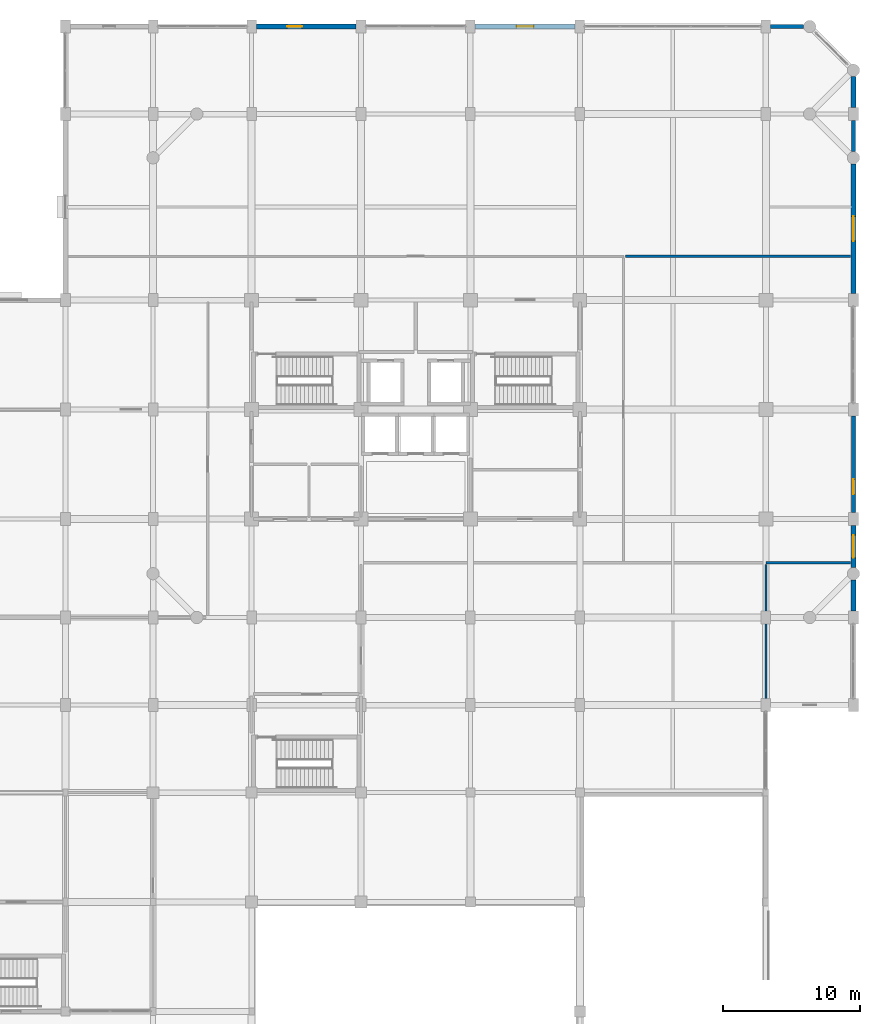
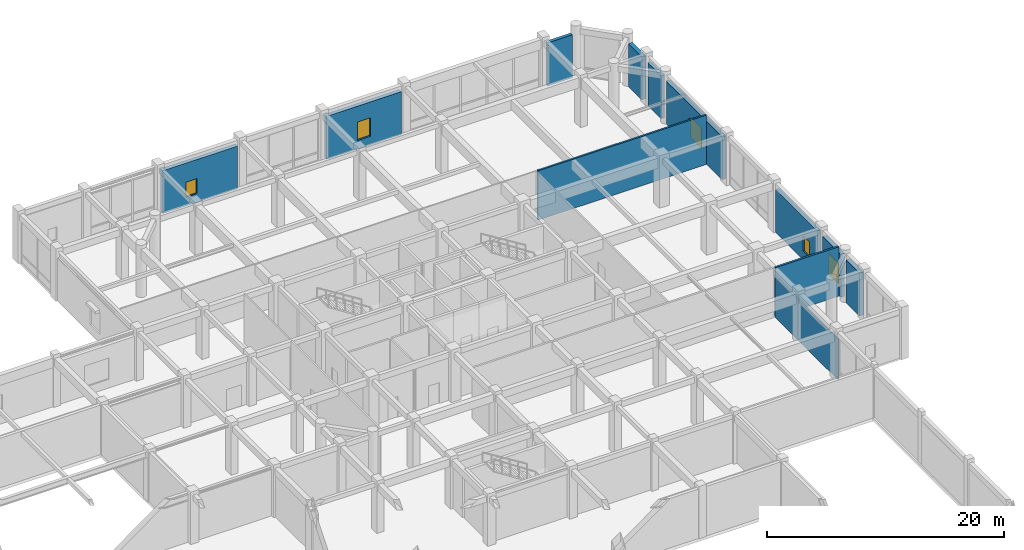
# One storey, part 30 of 36: 12 walls, 5 windows, 5 openings.
"""IFC4 building model written with IfcOpenShell, lengths in metres."""

from ifc_helpers import new_model, si_unit, direction, frame, frame_2d, origin, place, context, subcontext, project, spatial, rectangle, extrude, material, layer, layer_set, type_object, element, fill, save


model = new_model("IFC4")

# Units and contexts
model_context = context("Model", 3, precision=1e-05, world=origin(), true_north=direction((0.0, 1.0)))
body_context = subcontext(model_context, "Body", "Model", "MODEL_VIEW")
ifc_project = project(units=[si_unit("LENGTHUNIT", "METRE"), si_unit("AREAUNIT", "SQUARE_METRE"), si_unit("VOLUMEUNIT", "CUBIC_METRE"), si_unit("PLANEANGLEUNIT", "RADIAN"), si_unit("MASSUNIT", "GRAM", prefix="KILO")], contexts=[model_context])

# Site, building, storey
site_placement = place(None, origin())
site = spatial("IfcSite", under=ifc_project, at=site_placement, CompositionType="ELEMENT")
building_placement = place(site_placement, origin())
building = spatial("IfcBuilding", under=site, at=building_placement, Name="Vellmiral Cinema and Media Centre", CompositionType="ELEMENT")
storey_placement = place(building_placement, frame((0.0, 0.0, 5.39990234375)))
storey = spatial("IfcBuildingStorey", under=building, at=storey_placement, Name="L01", CompositionType="ELEMENT", Elevation=5.39990234375)

# Wall, opening, window
ifc_material_1 = material(Name="Polychrome Glazed Ceramic Cladding", Category="masonry")
ifc_layer_1 = layer(ifc_material_1, 0.320068359375, Name="Polychrome Glazed Ceramic Cladding")
ifc_layer_set_1 = layer_set([ifc_layer_1], Name="Polychrome Glazed Ceramic Cladding")
wall_type_1 = type_object("IfcWallType", Name="WL-EXT-BRICK-320", PredefinedType="SOLIDWALL", material=ifc_layer_set_1)
wall_1_placement = place(storey_placement, frame((168.0, 79.675048828125, 0.0), z_axis=(0.0, 0.0, 1.0), x_axis=(0.0, 1.0, 0.0)))
wall_1 = element("IfcWall", 1, at=wall_1_placement, inside=storey, type_object=wall_type_1, Name="Exterior Facade Wall L01-039", PredefinedType="SOLIDWALL", context=body_context, shape_type="SweptSolid", body=[
    extrude(rectangle(XDim=7.050048828125, YDim=0.320068359375, at=frame_2d((3.52490234375, 0.0))), origin(), (0.0, 0.0, 1.0), 4.440185546875),
])
opening_1_placement = place(wall_1_placement, frame((1.324951171875, 0.0, 0.89990234375)))
opening_1 = element("IfcOpeningElement", 2, at=opening_1_placement, cuts=wall_1, Name="Opening WN-11", PredefinedType="OPENING", context=body_context, shape_type="SweptSolid", body=[
    extrude(rectangle(XDim=1.10009765625, YDim=1.550048828125, at=frame_2d((0.550048828125, 0.77490234375))), frame((0.0, 0.171875, 0.0), z_axis=(0.0, -1.0, 0.0), x_axis=(1.0, 0.0, 0.0)), (0.0, 0.0, 1.0), 0.343994140625),
])
ifc_material_2 = material(Name="Thermally Broken Aluminium Triple Glazing", Category="aluminium")
window_type_1 = type_object("IfcWindowType", Name="WN-1100x1550", PartitioningType="SINGLE_PANEL", PredefinedType="WINDOW", material=ifc_material_2)
window_1_placement = place(opening_1_placement, origin())
window_1 = element("IfcWindow", 3, at=window_1_placement, inside=storey, type_object=window_type_1, Name="Window L01-039", OverallHeight=1.550048828125, OverallWidth=1.10009765625, PartitioningType="SINGLE_PANEL", PredefinedType="WINDOW", context=body_context, shape_type="SweptSolid", body=[
    extrude(rectangle(XDim=1.10009765625, YDim=1.550048828125, at=frame_2d((0.550048828125, 0.77490234375))), frame((0.0, 0.030029296875, 0.0), z_axis=(0.0, -1.0, 0.0), x_axis=(1.0, 0.0, 0.0)), (0.0, 0.0, 1.0), 0.06005859375),
])
fill(opening_1, window_1)

# Walls
wall_2_placement = place(storey_placement, frame((168.0, 106.050048828125, 0.0), z_axis=(0.0, 0.0, 1.0), x_axis=(0.0, 1.0, 0.0)))
element("IfcWall", 4, at=wall_2_placement, inside=storey, type_object=wall_type_1, Name="Exterior Facade Wall L01-042", PredefinedType="SOLIDWALL", context=body_context, shape_type="SweptSolid", body=[
    extrude(rectangle(XDim=2.27490234375, YDim=0.320068359375, at=frame_2d((1.137451171875, 0.0))), origin(), (0.0, 0.0, 1.0), 4.425048828125),
])
wall_3_placement = place(storey_placement, frame((164.35009765625, 115.199951171875, 0.0), z_axis=(0.0, 0.0, 1.0), x_axis=(-1.0, 0.0, 0.0)))
element("IfcWall", 5, at=wall_3_placement, inside=storey, type_object=wall_type_1, Name="Exterior Facade Wall L01-045", PredefinedType="SOLIDWALL", context=body_context, shape_type="SweptSolid", body=[
    extrude(rectangle(XDim=2.400146484375, YDim=0.320068359375, at=frame_2d((1.2001953125, 0.0))), origin(), (0.0, 0.0, 1.0), 4.440185546875),
])
ifc_material_3 = material(Name="Vosges Red Sandstone Masonry", Category="masonry")
ifc_layer_2 = layer(ifc_material_3, 0.3798828125, Name="Vosges Red Sandstone Masonry")
ifc_layer_set_2 = layer_set([ifc_layer_2], Name="Vosges Red Sandstone Masonry")
wall_type_2 = type_object("IfcWallType", Name="WL-EXT-SAND-380", PredefinedType="SOLIDWALL", material=ifc_layer_set_2)
wall_4_placement = place(storey_placement, frame((168.0, 72.47509765625, 0.0), z_axis=(0.0, 0.0, 1.0), x_axis=(0.0, 1.0, 0.0)))
element("IfcWall", 6, at=wall_4_placement, inside=storey, type_object=wall_type_2, Name="Exterior Facade Wall L01-037", PredefinedType="SOLIDWALL", context=body_context, shape_type="SweptSolid", body=[
    extrude(rectangle(XDim=2.27490234375, YDim=0.3798828125, at=frame_2d((1.137451171875, 0.0))), origin(), (0.0, 0.0, 1.0), 4.440185546875),
])

# Wall, opening, window
wall_5_placement = place(storey_placement, frame((168.0, 75.64990234375, 0.0), z_axis=(0.0, 0.0, 1.0), x_axis=(0.0, 1.0, 0.0)))
wall_5 = element("IfcWall", 7, at=wall_5_placement, inside=storey, type_object=wall_type_2, Name="Exterior Facade Wall L01-038", PredefinedType="SOLIDWALL", context=body_context, shape_type="SweptSolid", body=[
    extrude(rectangle(XDim=3.0751953125, YDim=0.3798828125, at=frame_2d((1.53759765625, 0.0))), origin(), (0.0, 0.0, 1.0), 4.440185546875),
])
opening_2_placement = place(wall_5_placement, frame((0.71240234375, 0.0, 0.89990234375)))
opening_2 = element("IfcOpeningElement", 8, at=opening_2_placement, cuts=wall_5, Name="Opening WN-15", PredefinedType="OPENING", context=body_context, shape_type="SweptSolid", body=[
    extrude(rectangle(XDim=1.64990234375, YDim=2.199951171875, at=frame_2d((0.824951171875, 1.10009765625))), frame((0.0, 0.201904296875, 0.0), z_axis=(0.0, -1.0, 0.0), x_axis=(1.0, 0.0, 0.0)), (0.0, 0.0, 1.0), 0.40380859375),
])
ifc_material_4 = material(Name="Thermally Broken Aluminium Triple Glazing", Category="aluminium")
window_type_2 = type_object("IfcWindowType", Name="WN-1650x2200", PartitioningType="TRIPLE_PANEL_HORIZONTAL", PredefinedType="WINDOW", material=ifc_material_4)
window_2_placement = place(opening_2_placement, origin())
window_2 = element("IfcWindow", 9, at=window_2_placement, inside=storey, type_object=window_type_2, Name="Window L01-038", OverallHeight=2.199951171875, OverallWidth=1.64990234375, PartitioningType="TRIPLE_PANEL_HORIZONTAL", PredefinedType="WINDOW", context=body_context, shape_type="SweptSolid", body=[
    extrude(rectangle(XDim=1.64990234375, YDim=2.199951171875, at=frame_2d((0.824951171875, 1.10009765625))), frame((0.0, 0.030029296875, 0.0), z_axis=(0.0, -1.0, 0.0), x_axis=(1.0, 0.0, 0.0)), (0.0, 0.0, 1.0), 0.06005859375),
])
fill(opening_2, window_2)

wall_6_placement = place(storey_placement, frame((168.0, 95.675048828125, 0.0), z_axis=(0.0, 0.0, 1.0), x_axis=(0.0, 1.0, 0.0)))
wall_6 = element("IfcWall", 10, at=wall_6_placement, inside=storey, type_object=wall_type_2, Name="Exterior Facade Wall L01-041", PredefinedType="SOLIDWALL", context=body_context, shape_type="SweptSolid", body=[
    extrude(rectangle(XDim=9.474853515625, YDim=0.3798828125, at=frame_2d((4.7373046875, 0.0))), origin(), (0.0, 0.0, 1.0), 4.425048828125),
])
opening_3_placement = place(wall_6_placement, frame((3.83740234375, 0.0, 0.89990234375)))
opening_3 = element("IfcOpeningElement", 11, at=opening_3_placement, cuts=wall_6, Name="Opening WN-03", PredefinedType="OPENING", context=body_context, shape_type="SweptSolid", body=[
    extrude(rectangle(XDim=1.800048828125, YDim=2.10009765625, at=frame_2d((0.89990234375, 1.050048828125))), frame((0.0, 0.201904296875, 0.0), z_axis=(0.0, -1.0, 0.0), x_axis=(1.0, 0.0, 0.0)), (0.0, 0.0, 1.0), 0.40380859375),
])
ifc_material_5 = material(Name="Thermally Broken Aluminium Triple Glazing", Category="aluminium")
window_type_3 = type_object("IfcWindowType", Name="WN-1800x2100", PartitioningType="DOUBLE_PANEL_VERTICAL", PredefinedType="WINDOW", material=ifc_material_5)
window_3_placement = place(opening_3_placement, origin())
window_3 = element("IfcWindow", 12, at=window_3_placement, inside=storey, type_object=window_type_3, Name="Window L01-041", OverallHeight=2.10009765625, OverallWidth=1.800048828125, PartitioningType="DOUBLE_PANEL_VERTICAL", PredefinedType="WINDOW", context=body_context, shape_type="SweptSolid", body=[
    extrude(rectangle(XDim=1.800048828125, YDim=2.10009765625, at=frame_2d((0.89990234375, 1.050048828125))), frame((0.0, 0.030029296875, 0.0), z_axis=(0.0, -1.0, 0.0), x_axis=(1.0, 0.0, 0.0)), (0.0, 0.0, 1.0), 0.06005859375),
])
fill(opening_3, window_3)

# Wall
wall_7_placement = place(storey_placement, frame((168.0, 109.27490234375, 0.0), z_axis=(0.0, 0.0, 1.0), x_axis=(0.0, 1.0, 0.0)))
element("IfcWall", 13, at=wall_7_placement, inside=storey, type_object=wall_type_2, Name="Exterior Facade Wall L01-043", PredefinedType="SOLIDWALL", context=body_context, shape_type="SweptSolid", body=[
    extrude(rectangle(XDim=2.275146484375, YDim=0.3798828125, at=frame_2d((1.1376953125, 0.0))), origin(), (0.0, 0.0, 1.0), 4.440185546875),
])

# Wall, opening, window
wall_8_placement = place(storey_placement, frame((147.64990234375, 115.199951171875, 0.0), z_axis=(0.0, 0.0, 1.0), x_axis=(-1.0, 0.0, 0.0)))
wall_8 = element("IfcWall", 14, at=wall_8_placement, inside=storey, type_object=wall_type_2, Name="Exterior Facade Wall L01-047", PredefinedType="SOLIDWALL", context=body_context, shape_type="SweptSolid", body=[
    extrude(rectangle(XDim=7.2998046875, YDim=0.3798828125, at=frame_2d((3.64990234375, 0.0))), origin(), (0.0, 0.0, 1.0), 4.440185546875),
])
opening_4_placement = place(wall_8_placement, frame((3.02490234375, 0.0, 0.89990234375)))
opening_4 = element("IfcOpeningElement", 15, at=opening_4_placement, cuts=wall_8, Name="Opening WN-09", PredefinedType="OPENING", context=body_context, shape_type="SweptSolid", body=[
    extrude(rectangle(XDim=1.25, YDim=1.89990234375, at=frame_2d((0.625, 0.949951171875))), frame((0.0, 0.201904296875, 0.0), z_axis=(0.0, -1.0, 0.0), x_axis=(1.0, 0.0, 0.0)), (0.0, 0.0, 1.0), 0.40380859375),
])
ifc_material_6 = material(Name="Thermally Broken Aluminium Triple Glazing", Category="aluminium")
window_type_4 = type_object("IfcWindowType", Name="WN-1250x1900", PartitioningType="SINGLE_PANEL", PredefinedType="WINDOW", material=ifc_material_6)
window_4_placement = place(opening_4_placement, origin())
window_4 = element("IfcWindow", 16, at=window_4_placement, inside=storey, type_object=window_type_4, Name="Window L01-047", OverallHeight=1.89990234375, OverallWidth=1.25, PartitioningType="SINGLE_PANEL", PredefinedType="WINDOW", context=body_context, shape_type="SweptSolid", body=[
    extrude(rectangle(XDim=1.25, YDim=1.89990234375, at=frame_2d((0.625, 0.949951171875))), frame((0.0, 0.030029296875, 0.0), z_axis=(0.0, -1.0, 0.0), x_axis=(1.0, 0.0, 0.0)), (0.0, 0.0, 1.0), 0.06005859375),
])
fill(opening_4, window_4)

wall_9_placement = place(storey_placement, frame((131.64990234375, 115.199951171875, 0.0), z_axis=(0.0, 0.0, 1.0), x_axis=(-1.0, 0.0, 0.0)))
wall_9 = element("IfcWall", 17, at=wall_9_placement, inside=storey, type_object=wall_type_2, Name="Exterior Facade Wall L01-049", PredefinedType="SOLIDWALL", context=body_context, shape_type="SweptSolid", body=[
    extrude(rectangle(XDim=7.2998046875, YDim=0.3798828125, at=frame_2d((3.64990234375, 0.0))), origin(), (0.0, 0.0, 1.0), 4.425048828125),
])
opening_5_placement = place(wall_9_placement, frame((3.949951171875, 0.0, 0.89990234375)))
opening_5 = element("IfcOpeningElement", 18, at=opening_5_placement, cuts=wall_9, Name="Opening WN-11", PredefinedType="OPENING", context=body_context, shape_type="SweptSolid", body=[
    extrude(rectangle(XDim=1.10009765625, YDim=1.550048828125, at=frame_2d((0.550048828125, 0.77490234375))), frame((0.0, 0.201904296875, 0.0), z_axis=(0.0, -1.0, 0.0), x_axis=(1.0, 0.0, 0.0)), (0.0, 0.0, 1.0), 0.40380859375),
])
window_5_placement = place(opening_5_placement, origin())
window_5 = element("IfcWindow", 19, at=window_5_placement, inside=storey, type_object=window_type_1, Name="Window L01-049", OverallHeight=1.550048828125, OverallWidth=1.10009765625, PartitioningType="SINGLE_PANEL", PredefinedType="WINDOW", context=body_context, shape_type="SweptSolid", body=[
    extrude(rectangle(XDim=1.10009765625, YDim=1.550048828125, at=frame_2d((0.550048828125, 0.77490234375))), frame((0.0, 0.030029296875, 0.0), z_axis=(0.0, -1.0, 0.0), x_axis=(1.0, 0.0, 0.0)), (0.0, 0.0, 1.0), 0.06005859375),
])
fill(opening_5, window_5)

# Walls
ifc_material_7 = material(Name="Gypsum Plasterboard")
ifc_layer_3 = layer(ifc_material_7, 0.02490234375, Name="Gypsum Plasterboard", Category="gypsum")
ifc_material_8 = material(Name="Mineral Wool Acoustic Insulation", Category="insulation")
ifc_layer_4 = layer(ifc_material_8, 0.080078125, Name="Mineral Wool Acoustic Insulation", Category="insulation")
ifc_layer_5 = layer(ifc_material_7, 0.02490234375, Name="Gypsum Plasterboard", Category="gypsum")
ifc_layer_set_3 = layer_set([ifc_layer_3, ifc_layer_4, ifc_layer_5], Name="Gypsum Plasterboard")
wall_type_3 = type_object("IfcWallType", Name="WL-PART-130", PredefinedType="PARTITIONING", material=ifc_layer_set_3)
wall_10_placement = place(storey_placement, frame((161.60009765625, 65.264892578125, 0.0), z_axis=(0.0, 0.0, 1.0), x_axis=(0.0, 1.0, 0.0)))
element("IfcWall", 20, at=wall_10_placement, inside=storey, type_object=wall_type_3, Name="Tower L01 Production Office South Wall E", PredefinedType="PARTITIONING", context=body_context, shape_type="SweptSolid", body=[
    extrude(rectangle(XDim=10.59521484375, YDim=0.1298828125, at=frame_2d((5.297607421875, 0.0))), origin(), (0.0, 0.0, 1.0), 4.18505859375),
])
ifc_material_9 = material(Name="Gypsum Plasterboard")
ifc_layer_6 = layer(ifc_material_9, 0.02490234375, Name="Gypsum Plasterboard", Category="gypsum")
ifc_material_10 = material(Name="Mineral Wool Acoustic Insulation", Category="insulation")
ifc_layer_7 = layer(ifc_material_10, 0.1201171875, Name="Mineral Wool Acoustic Insulation", Category="insulation")
ifc_layer_8 = layer(ifc_material_9, 0.02490234375, Name="Gypsum Plasterboard", Category="gypsum")
ifc_layer_set_4 = layer_set([ifc_layer_6, ifc_layer_7, ifc_layer_8], Name="Gypsum Plasterboard")
wall_type_4 = type_object("IfcWallType", Name="WL-PART-170", PredefinedType="PARTITIONING", material=ifc_layer_set_4)
wall_11_placement = place(storey_placement, frame((151.340087890625, 98.39990234375, 0.0), z_axis=(0.0, 0.0, 1.0), x_axis=(1.0, 0.0, 0.0)))
element("IfcWall", 21, at=wall_11_placement, inside=storey, type_object=wall_type_4, Name="Tower L01 Production Office East Wall N", PredefinedType="PARTITIONING", context=body_context, shape_type="SweptSolid", body=[
    extrude(rectangle(XDim=16.454833984375, YDim=0.169921875, at=frame_2d((8.2275390625, 0.0))), origin(), (0.0, 0.0, 1.0), 5.10009765625),
])
ifc_material_11 = material(Name="Gypsum Plasterboard")
ifc_layer_9 = layer(ifc_material_11, 0.02490234375, Name="Gypsum Plasterboard", Category="gypsum")
ifc_material_12 = material(Name="Mineral Wool Acoustic Insulation", Category="insulation")
ifc_layer_10 = layer(ifc_material_12, 0.139892578125, Name="Mineral Wool Acoustic Insulation", Category="insulation")
ifc_layer_11 = layer(ifc_material_11, 0.02490234375, Name="Gypsum Plasterboard", Category="gypsum")
ifc_layer_set_5 = layer_set([ifc_layer_9, ifc_layer_10, ifc_layer_11], Name="Gypsum Plasterboard")
wall_type_5 = type_object("IfcWallType", Name="WL-PART-190", PredefinedType="PARTITIONING", material=ifc_layer_set_5)
wall_12_placement = place(storey_placement, frame((161.60009765625, 76.0, 0.0), z_axis=(0.0, 0.0, 1.0), x_axis=(1.0, 0.0, 0.0)))
element("IfcWall", 22, at=wall_12_placement, inside=storey, type_object=wall_type_5, Name="Tower L01 Production Office East Wall S", PredefinedType="PARTITIONING", context=body_context, shape_type="SweptSolid", body=[
    extrude(rectangle(XDim=6.19482421875, YDim=0.18994140625, at=frame_2d((3.097412109375, 0.0))), origin(), (0.0, 0.0, 1.0), 5.10009765625),
])

save(model, "model.ifc")
